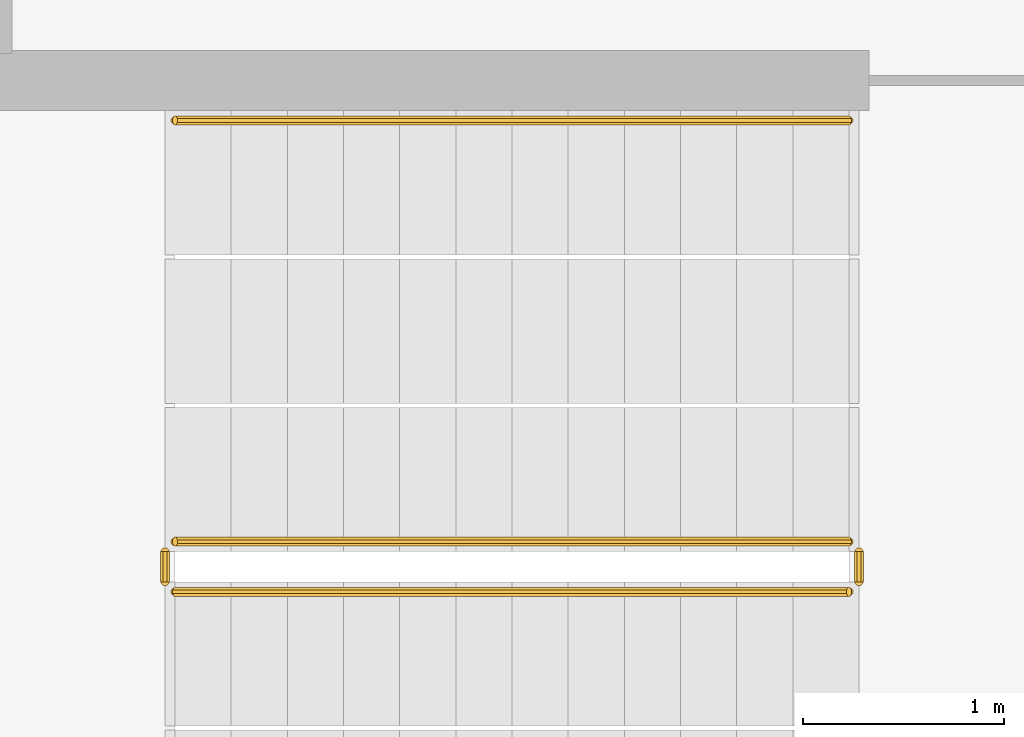
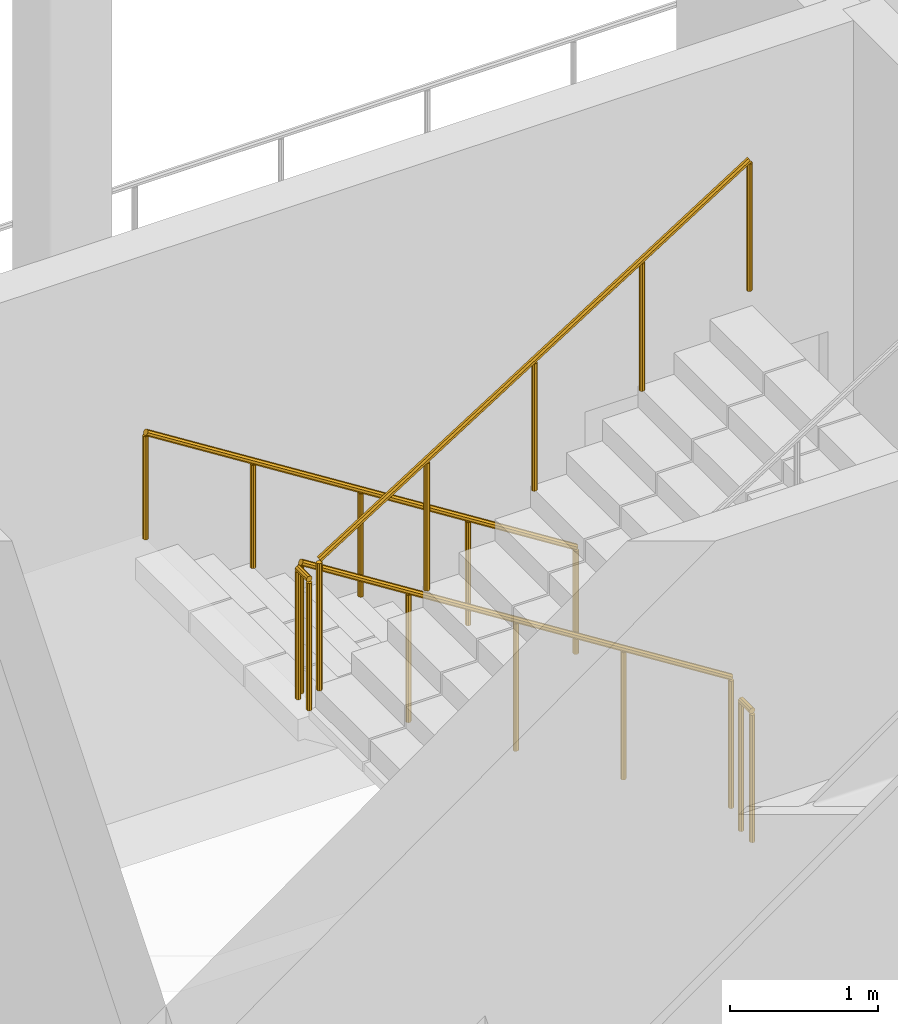
# One storey, part 21 of 30: 5 railings.
"""IFC4 building model written with IfcOpenShell, lengths in metres."""

from ifc_helpers import new_model, si_unit, direction, frame, origin, place, context, subcontext, project, spatial, polyline, outline, extrude, material, type_object, element, save


model = new_model("IFC4")

# Units and contexts
model_context = context("Model", 3, precision=1e-05, world=origin(), true_north=direction((0.0, 1.0)))
body_context = subcontext(model_context, "Body", "Model", "MODEL_VIEW")
ifc_project = project(units=[si_unit("LENGTHUNIT", "METRE"), si_unit("AREAUNIT", "SQUARE_METRE"), si_unit("VOLUMEUNIT", "CUBIC_METRE"), si_unit("PLANEANGLEUNIT", "RADIAN"), si_unit("MASSUNIT", "GRAM", prefix="KILO")], contexts=[model_context])

# Site, building, storey
site_placement = place(None, origin())
site = spatial("IfcSite", under=ifc_project, at=site_placement, CompositionType="ELEMENT")
building_placement = place(site_placement, origin())
building = spatial("IfcBuilding", under=site, at=building_placement, Name="Cormorant Relay Tower", CompositionType="ELEMENT")
storey_placement = place(building_placement, frame((0.0, 0.0, 84.60009765625)))
storey = spatial("IfcBuildingStorey", under=building, at=storey_placement, Name="L16", CompositionType="ELEMENT", Elevation=84.60009765625)

# Railings
ifc_material_1 = material(Name="Steel ASTM A572 Grade 50 (Fy 345 MPa)", Category="steel")
railing_type_1 = type_object("IfcRailingType", Name="Stair guard 1100", PredefinedType="GUARDRAIL", material=ifc_material_1)
railing_1_placement = place(storey_placement, frame((1.60009765625, -18.27490234375, 0.1767578125)))
element("IfcRailing", 1, at=railing_1_placement, inside=storey, type_object=railing_type_1, Name="L16 RK1 stair guard 1", PredefinedType="GUARDRAIL", context=body_context, shape_type="SweptSolid", body=[
    extrude(outline(polyline([(0.022216796875, 0.00927734375), (0.00927734375, 0.022216796875), (-0.00927734375, 0.022216796875), (-0.022216796875, 0.00927734375), (-0.022216796875, -0.00927734375), (-0.00927734375, -0.022216796875), (0.00927734375, -0.022216796875), (0.022216796875, -0.00927734375), (0.022216796875, 0.00927734375)])), frame((0.0, 0.0, 1.076171875), z_axis=(-0.845389635667, 0.0, 0.534150132366), x_axis=(0.0, -1.0, 0.0)), (0.0, 0.0, 1.0), 3.974609375),
    extrude(outline(polyline([(0.019287109375, 0.008056640625), (0.008056640625, 0.019287109375), (-0.008056640625, 0.019287109375), (-0.019287109375, 0.008056640625), (-0.019287109375, -0.008056640625), (-0.008056640625, -0.019287109375), (0.008056640625, -0.019287109375), (0.019287109375, -0.008056640625), (0.019287109375, 0.008056640625)])), origin(), (0.0, 0.0, 1.0), 1.052001953125),
    extrude(outline(polyline([(0.019287109375, 0.008056640625), (0.008056640625, 0.019287109375), (-0.008056640625, 0.019287109375), (-0.019287109375, 0.008056640625), (-0.019287109375, -0.008056640625), (-0.008056640625, -0.019287109375), (0.008056640625, -0.019287109375), (0.019287109375, -0.008056640625), (0.019287109375, 0.008056640625)])), frame((-0.840087890625, 0.0, 0.53076171875)), (0.0, 0.0, 1.0), 1.052001953125),
    extrude(outline(polyline([(0.019287109375, 0.008056640625), (0.008056640625, 0.019287109375), (-0.008056640625, 0.019287109375), (-0.019287109375, 0.008056640625), (-0.019287109375, -0.008056640625), (-0.008056640625, -0.019287109375), (0.008056640625, -0.019287109375), (0.019287109375, -0.008056640625), (0.019287109375, 0.008056640625)])), frame((-1.68017578125, 0.0, 1.0615234375)), (0.0, 0.0, 1.0), 1.052001953125),
    extrude(outline(polyline([(0.019287109375, 0.008056640625), (0.008056640625, 0.019287109375), (-0.008056640625, 0.019287109375), (-0.019287109375, 0.008056640625), (-0.019287109375, -0.008056640625), (-0.008056640625, -0.019287109375), (0.008056640625, -0.019287109375), (0.019287109375, -0.008056640625), (0.019287109375, 0.008056640625)])), frame((-2.52001953125, 0.0, 1.59228515625)), (0.0, 0.0, 1.0), 1.052001953125),
    extrude(outline(polyline([(0.019287109375, 0.008056640625), (0.008056640625, 0.019287109375), (-0.008056640625, 0.019287109375), (-0.019287109375, 0.008056640625), (-0.019287109375, -0.008056640625), (-0.008056640625, -0.019287109375), (0.008056640625, -0.019287109375), (0.019287109375, -0.008056640625), (0.019287109375, 0.008056640625)])), frame((-3.360107421875, 0.0, 2.123046875)), (0.0, 0.0, 1.0), 1.052001953125),
])
railing_2_placement = place(storey_placement, frame((-1.81005859375, -18.324951171875, 2.2998046875)))
element("IfcRailing", 2, at=railing_2_placement, inside=storey, type_object=railing_type_1, Name="L16 RK1 stair guard 2", PredefinedType="GUARDRAIL", context=body_context, shape_type="SweptSolid", body=[
    extrude(outline(polyline([(0.022216796875, 0.00927734375), (0.00927734375, 0.022216796875), (-0.00927734375, 0.022216796875), (-0.022216796875, 0.00927734375), (-0.022216796875, -0.00927734375), (-0.00927734375, -0.022216796875), (0.00927734375, -0.022216796875), (0.022216796875, -0.00927734375), (0.022216796875, 0.00927734375)])), frame((0.0, 0.0, 1.076171875), z_axis=(0.0, -1.0, 0.0), x_axis=(1.0, 0.0, 0.0)), (0.0, 0.0, 1.0), 0.150146484375),
    extrude(outline(polyline([(0.019287109375, 0.008056640625), (0.008056640625, 0.019287109375), (-0.008056640625, 0.019287109375), (-0.019287109375, 0.008056640625), (-0.019287109375, -0.008056640625), (-0.008056640625, -0.019287109375), (0.008056640625, -0.019287109375), (0.019287109375, -0.008056640625), (0.019287109375, 0.008056640625)])), origin(), (0.0, 0.0, 1.0), 1.052001953125),
    extrude(outline(polyline([(0.019287109375, 0.008056640625), (0.008056640625, 0.019287109375), (-0.008056640625, 0.019287109375), (-0.019287109375, 0.008056640625), (-0.019287109375, -0.008056640625), (-0.008056640625, -0.019287109375), (0.008056640625, -0.019287109375), (0.019287109375, -0.008056640625), (0.019287109375, 0.008056640625)])), frame((0.0, -0.150146484375, 0.0)), (0.0, 0.0, 1.0), 1.052001953125),
])
railing_3_placement = place(storey_placement, frame((-1.760009765625, -18.52490234375, 2.476806640625)))
element("IfcRailing", 3, at=railing_3_placement, inside=storey, type_object=railing_type_1, Name="L16 RK1 stair guard 3", PredefinedType="GUARDRAIL", context=body_context, shape_type="SweptSolid", body=[
    extrude(outline(polyline([(0.022216796875, 0.00927734375), (0.00927734375, 0.022216796875), (-0.00927734375, 0.022216796875), (-0.022216796875, 0.00927734375), (-0.022216796875, -0.00927734375), (-0.00927734375, -0.022216796875), (0.00927734375, -0.022216796875), (0.022216796875, -0.00927734375), (0.022216796875, 0.00927734375)])), frame((0.0, 0.0, 1.076171875), z_axis=(0.845389635667, 0.0, 0.534150132366), x_axis=(0.0, 1.0, 0.0)), (0.0, 0.0, 1.0), 3.974609375),
    extrude(outline(polyline([(0.019287109375, 0.008056640625), (0.008056640625, 0.019287109375), (-0.008056640625, 0.019287109375), (-0.019287109375, 0.008056640625), (-0.019287109375, -0.008056640625), (-0.008056640625, -0.019287109375), (0.008056640625, -0.019287109375), (0.019287109375, -0.008056640625), (0.019287109375, 0.008056640625)])), origin(), (0.0, 0.0, 1.0), 1.052001953125),
    extrude(outline(polyline([(0.019287109375, 0.008056640625), (0.008056640625, 0.019287109375), (-0.008056640625, 0.019287109375), (-0.019287109375, 0.008056640625), (-0.019287109375, -0.008056640625), (-0.008056640625, -0.019287109375), (0.008056640625, -0.019287109375), (0.019287109375, -0.008056640625), (0.019287109375, 0.008056640625)])), frame((0.840087890625, 0.0, 0.53076171875)), (0.0, 0.0, 1.0), 1.052001953125),
    extrude(outline(polyline([(0.019287109375, 0.008056640625), (0.008056640625, 0.019287109375), (-0.008056640625, 0.019287109375), (-0.019287109375, 0.008056640625), (-0.019287109375, -0.008056640625), (-0.008056640625, -0.019287109375), (0.008056640625, -0.019287109375), (0.019287109375, -0.008056640625), (0.019287109375, 0.008056640625)])), frame((1.68017578125, 0.0, 1.0615234375)), (0.0, 0.0, 1.0), 1.052001953125),
    extrude(outline(polyline([(0.019287109375, 0.008056640625), (0.008056640625, 0.019287109375), (-0.008056640625, 0.019287109375), (-0.019287109375, 0.008056640625), (-0.019287109375, -0.008056640625), (-0.008056640625, -0.019287109375), (0.008056640625, -0.019287109375), (0.019287109375, -0.008056640625), (0.019287109375, 0.008056640625)])), frame((2.52001953125, 0.0, 1.59228515625)), (0.0, 0.0, 1.0), 1.052001953125),
    extrude(outline(polyline([(0.019287109375, 0.008056640625), (0.008056640625, 0.019287109375), (-0.008056640625, 0.019287109375), (-0.019287109375, 0.008056640625), (-0.019287109375, -0.008056640625), (-0.008056640625, -0.019287109375), (0.008056640625, -0.019287109375), (0.019287109375, -0.008056640625), (0.019287109375, 0.008056640625)])), frame((3.360107421875, 0.0, 2.123046875)), (0.0, 0.0, 1.0), 1.052001953125),
])
railing_4_placement = place(storey_placement, frame((1.64990234375, -18.324951171875, 0.0)))
element("IfcRailing", 4, at=railing_4_placement, inside=storey, type_object=railing_type_1, Name="L16 RK1 stair guard 4", PredefinedType="GUARDRAIL", context=body_context, shape_type="SweptSolid", body=[
    extrude(outline(polyline([(0.022216796875, 0.00927734375), (0.00927734375, 0.022216796875), (-0.00927734375, 0.022216796875), (-0.022216796875, 0.00927734375), (-0.022216796875, -0.00927734375), (-0.00927734375, -0.022216796875), (0.00927734375, -0.022216796875), (0.022216796875, -0.00927734375), (0.022216796875, 0.00927734375)])), frame((0.0, 0.0, 1.076171875), z_axis=(0.0, -1.0, 0.0), x_axis=(1.0, 0.0, 0.0)), (0.0, 0.0, 1.0), 0.150146484375),
    extrude(outline(polyline([(0.019287109375, 0.008056640625), (0.008056640625, 0.019287109375), (-0.008056640625, 0.019287109375), (-0.019287109375, 0.008056640625), (-0.019287109375, -0.008056640625), (-0.008056640625, -0.019287109375), (0.008056640625, -0.019287109375), (0.019287109375, -0.008056640625), (0.019287109375, 0.008056640625)])), origin(), (0.0, 0.0, 1.0), 1.052001953125),
    extrude(outline(polyline([(0.019287109375, 0.008056640625), (0.008056640625, 0.019287109375), (-0.008056640625, 0.019287109375), (-0.019287109375, 0.008056640625), (-0.019287109375, -0.008056640625), (-0.008056640625, -0.019287109375), (0.008056640625, -0.019287109375), (0.019287109375, -0.008056640625), (0.019287109375, 0.008056640625)])), frame((0.0, -0.150146484375, 0.0)), (0.0, 0.0, 1.0), 1.052001953125),
])
ifc_material_2 = material(Name="Steel ASTM A572 Grade 50 (Fy 345 MPa)", Category="steel")
railing_type_2 = type_object("IfcRailingType", Name="Stair handrail 900", PredefinedType="HANDRAIL", material=ifc_material_2)
railing_5_placement = place(storey_placement, frame((1.60009765625, -16.175048828125, 0.1767578125)))
element("IfcRailing", 5, at=railing_5_placement, inside=storey, type_object=railing_type_2, Name="L16 RK1 stair handrail 1", PredefinedType="HANDRAIL", context=body_context, shape_type="SweptSolid", body=[
    extrude(outline(polyline([(0.022216796875, 0.00927734375), (0.00927734375, 0.022216796875), (-0.00927734375, 0.022216796875), (-0.022216796875, 0.00927734375), (-0.022216796875, -0.00927734375), (-0.00927734375, -0.022216796875), (0.00927734375, -0.022216796875), (0.022216796875, -0.00927734375), (0.022216796875, 0.00927734375)])), frame((0.0, 0.0, 0.8759765625), z_axis=(-0.845389635667, 0.0, 0.534150132366), x_axis=(0.0, -1.0, 0.0)), (0.0, 0.0, 1.0), 3.974609375),
    extrude(outline(polyline([(0.019287109375, 0.008056640625), (0.008056640625, 0.019287109375), (-0.008056640625, 0.019287109375), (-0.019287109375, 0.008056640625), (-0.019287109375, -0.008056640625), (-0.008056640625, -0.019287109375), (0.008056640625, -0.019287109375), (0.019287109375, -0.008056640625), (0.019287109375, 0.008056640625)])), origin(), (0.0, 0.0, 1.0), 0.851806640625),
    extrude(outline(polyline([(0.019287109375, 0.008056640625), (0.008056640625, 0.019287109375), (-0.008056640625, 0.019287109375), (-0.019287109375, 0.008056640625), (-0.019287109375, -0.008056640625), (-0.008056640625, -0.019287109375), (0.008056640625, -0.019287109375), (0.019287109375, -0.008056640625), (0.019287109375, 0.008056640625)])), frame((-0.840087890625, 0.0, 0.53076171875)), (0.0, 0.0, 1.0), 0.851806640625),
    extrude(outline(polyline([(0.019287109375, 0.008056640625), (0.008056640625, 0.019287109375), (-0.008056640625, 0.019287109375), (-0.019287109375, 0.008056640625), (-0.019287109375, -0.008056640625), (-0.008056640625, -0.019287109375), (0.008056640625, -0.019287109375), (0.019287109375, -0.008056640625), (0.019287109375, 0.008056640625)])), frame((-1.68017578125, 0.0, 1.0615234375)), (0.0, 0.0, 1.0), 0.851806640625),
    extrude(outline(polyline([(0.019287109375, 0.008056640625), (0.008056640625, 0.019287109375), (-0.008056640625, 0.019287109375), (-0.019287109375, 0.008056640625), (-0.019287109375, -0.008056640625), (-0.008056640625, -0.019287109375), (0.008056640625, -0.019287109375), (0.019287109375, -0.008056640625), (0.019287109375, 0.008056640625)])), frame((-2.52001953125, 0.0, 1.59228515625)), (0.0, 0.0, 1.0), 0.851806640625),
    extrude(outline(polyline([(0.019287109375, 0.008056640625), (0.008056640625, 0.019287109375), (-0.008056640625, 0.019287109375), (-0.019287109375, 0.008056640625), (-0.019287109375, -0.008056640625), (-0.008056640625, -0.019287109375), (0.008056640625, -0.019287109375), (0.019287109375, -0.008056640625), (0.019287109375, 0.008056640625)])), frame((-3.360107421875, 0.0, 2.123046875)), (0.0, 0.0, 1.0), 0.851806640625),
])

save(model, "model.ifc")
